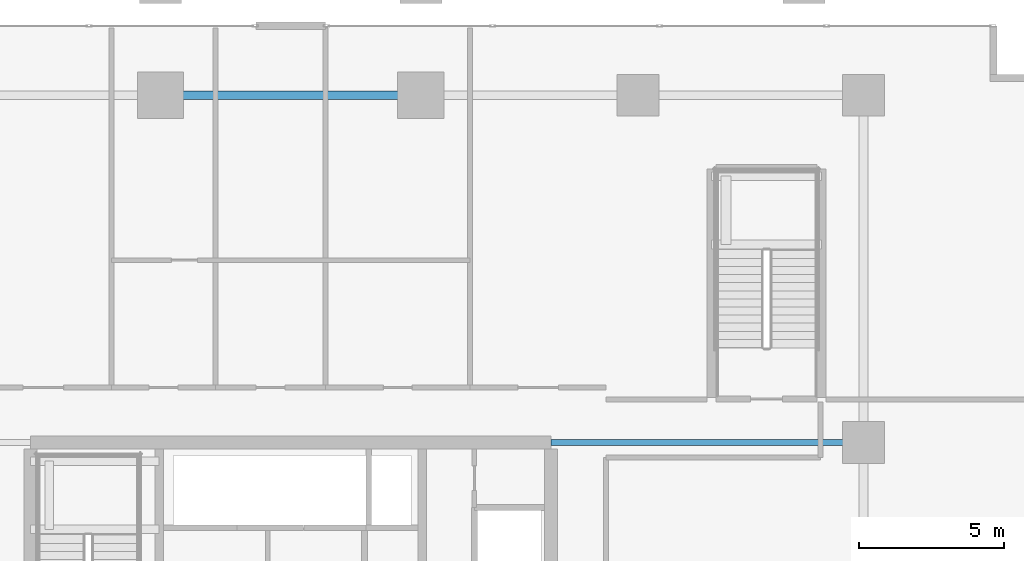
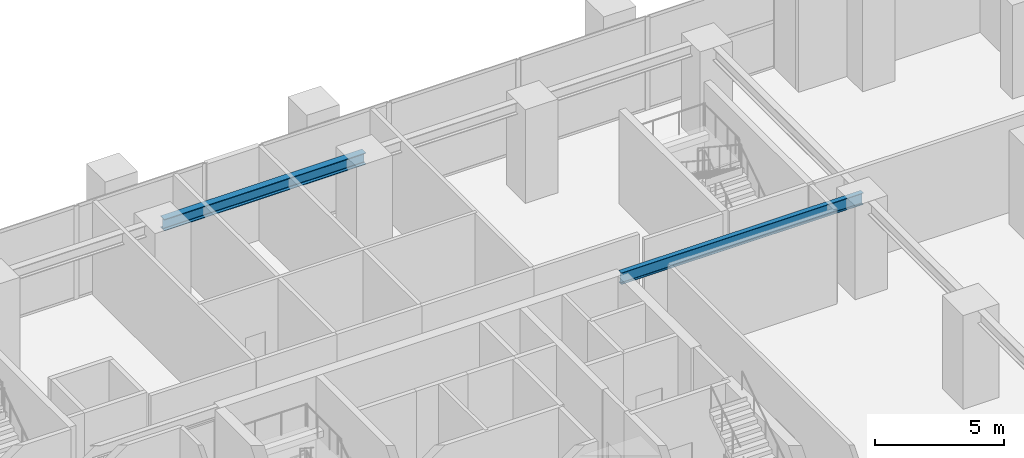
# One storey, part 9 of 20: 2 beams.
"""IFC4 building model written with IfcOpenShell, lengths in metres."""

from ifc_helpers import new_model, si_unit, direction, frame, origin, origin_2d, place, context, subcontext, project, spatial, i_section, extrude, source, transform, mapped, material, material_profile, profile_set, type_object, element, save


model = new_model("IFC4")

# Units and contexts
model_context = context("Model", 3, precision=1e-05, world=origin(), true_north=direction((0.0, 1.0)))
body_context = subcontext(model_context, "Body", "Model", "MODEL_VIEW")
ifc_project = project(units=[si_unit("LENGTHUNIT", "METRE"), si_unit("AREAUNIT", "SQUARE_METRE"), si_unit("VOLUMEUNIT", "CUBIC_METRE"), si_unit("PLANEANGLEUNIT", "RADIAN"), si_unit("MASSUNIT", "GRAM", prefix="KILO")], contexts=[model_context])

# Site, building, storey
site_placement = place(None, origin())
site = spatial("IfcSite", under=ifc_project, at=site_placement, CompositionType="ELEMENT")
building_placement = place(site_placement, origin())
building = spatial("IfcBuilding", under=site, at=building_placement, Name="Serunith Strait Residences", CompositionType="ELEMENT")
storey_placement = place(building_placement, frame((0.0, 0.0, 10.5)))
storey = spatial("IfcBuildingStorey", under=building, at=storey_placement, Name="L02", CompositionType="ELEMENT", Elevation=10.5)

# Beams
ifc_material = material(Name="Steel S355J2", Category="steel")
ifc_material_profile_1 = material_profile(ifc_material, i_section(OverallWidth=0.300048828125, OverallDepth=0.550048828125, WebThickness=0.014892578125, FlangeThickness=0.029052734375, FilletRadius=0.027099609375, at=origin_2d()), Name="HEB 550")
ifc_profile_set_1 = profile_set([ifc_material_profile_1], Name="Steel S355J2")
beam_type_1 = type_object("IfcBeamType", Name="BM-HEB550", PredefinedType="BEAM", material=ifc_profile_set_1)
shared_shape_1 = source(origin(), body_context, "Body", "SweptSolid", [
    extrude(i_section(OverallWidth=0.300048828125, OverallDepth=0.550048828125, WebThickness=0.014892578125, FlangeThickness=0.029052734375, FilletRadius=0.027099609375, at=origin_2d()), origin(), (0.0, 0.0, 1.0), 9.0),
])
beam_1_placement = place(storey_placement, frame((27.89990234375, 45.60009765625, 4.14208984375), z_axis=(1.0, 0.0, 0.0), x_axis=(0.0, 1.0, 0.0)))
element("IfcBeam", 1, at=beam_1_placement, inside=storey, type_object=beam_type_1, Name="BM-L02-08", PredefinedType="BEAM", context=body_context, shape_type="MappedRepresentation", body=[
    mapped(shared_shape_1, transform((0.0, 0.0, 0.0), scale=1.0)),
])
ifc_material_profile_2 = material_profile(ifc_material, i_section(OverallWidth=0.2099609375, OverallDepth=0.550048828125, WebThickness=0.010986328125, FlangeThickness=0.01708984375, FilletRadius=0.02392578125, at=origin_2d()), Name="IPE 550")
ifc_profile_set_2 = profile_set([ifc_material_profile_2], Name="Steel S355J2")
beam_type_2 = type_object("IfcBeamType", Name="BM-IPE550", PredefinedType="BEAM", material=ifc_profile_set_2)
shared_shape_2 = source(origin(), body_context, "Body", "SweptSolid", [
    extrude(i_section(OverallWidth=0.2099609375, OverallDepth=0.550048828125, WebThickness=0.010986328125, FlangeThickness=0.01708984375, FilletRadius=0.02392578125, at=origin_2d()), origin(), (0.0, 0.0, 1.0), 10.800048828125),
])
beam_2_placement = place(storey_placement, frame((41.39990234375, 33.60009765625, 4.14208984375), z_axis=(1.0, 0.0, 0.0), x_axis=(0.0, 1.0, 0.0)))
element("IfcBeam", 2, at=beam_2_placement, inside=storey, type_object=beam_type_2, Name="BM-L02-22", PredefinedType="BEAM", context=body_context, shape_type="MappedRepresentation", body=[
    mapped(shared_shape_2, transform((0.0, 0.0, 0.0), scale=1.0)),
])

save(model, "model.ifc")
